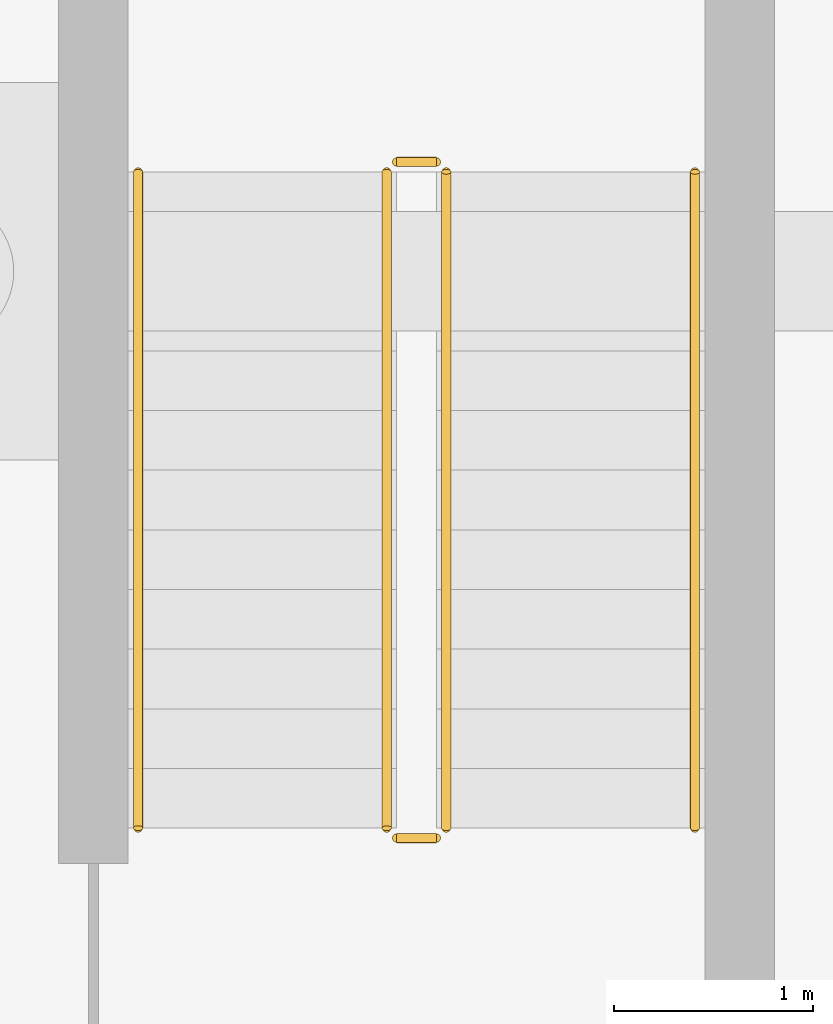
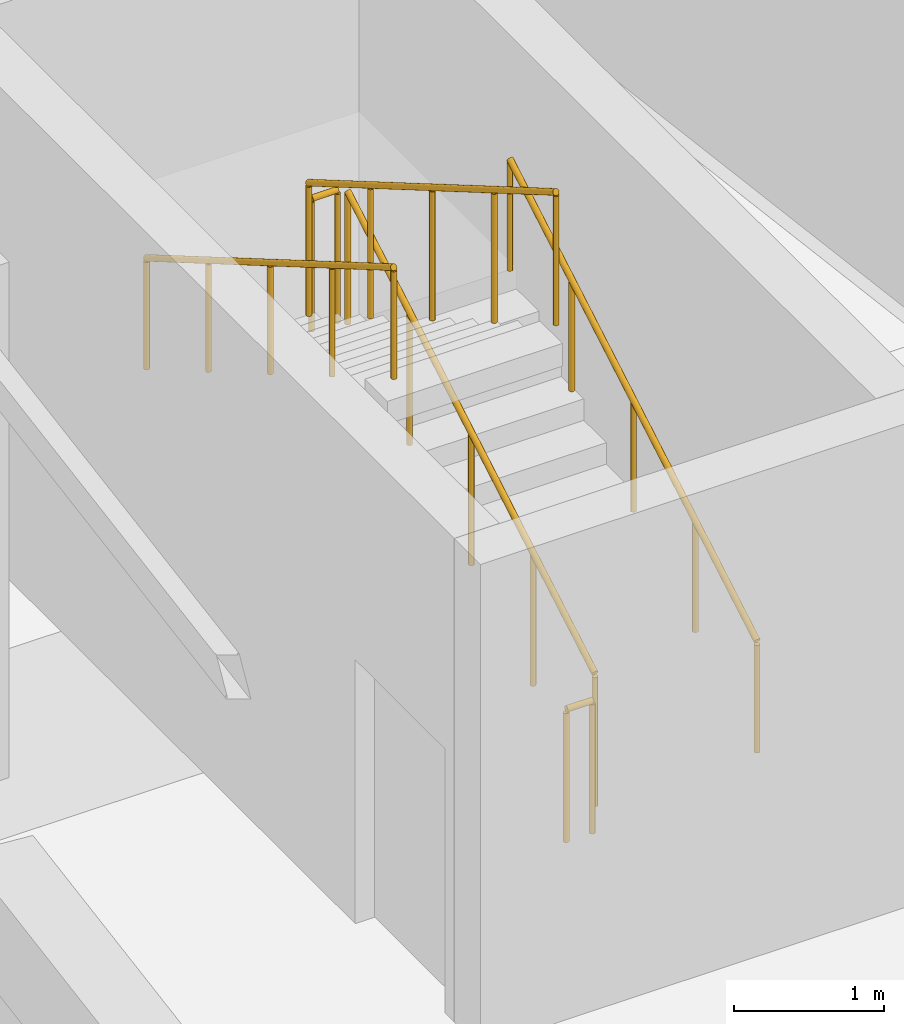
# One storey, part 54 of 58: 6 railings.
"""IFC4 building model written with IfcOpenShell, lengths in metres."""

from ifc_helpers import new_model, si_unit, direction, frame, origin, origin_2d, place, context, subcontext, project, spatial, circle, extrude, material, type_object, element, save


model = new_model("IFC4")

# Units and contexts
model_context = context("Model", 3, precision=1e-05, world=origin(), true_north=direction((0.0, 1.0)))
body_context = subcontext(model_context, "Body", "Model", "MODEL_VIEW")
ifc_project = project(units=[si_unit("LENGTHUNIT", "METRE"), si_unit("AREAUNIT", "SQUARE_METRE"), si_unit("VOLUMEUNIT", "CUBIC_METRE"), si_unit("PLANEANGLEUNIT", "RADIAN"), si_unit("MASSUNIT", "GRAM", prefix="KILO")], contexts=[model_context])

# Site, building, storey
site_placement = place(None, origin())
site = spatial("IfcSite", under=ifc_project, at=site_placement, CompositionType="ELEMENT")
building_placement = place(site_placement, origin())
building = spatial("IfcBuilding", under=site, at=building_placement, Name="Karori Crest Natural Sciences Institute", CompositionType="ELEMENT")
storey_placement = place(building_placement, frame((0.0, 0.0, -4.199951171875)))
storey = spatial("IfcBuildingStorey", under=building, at=storey_placement, Name="B1", CompositionType="ELEMENT", Elevation=-4.199951171875)

# Railings
ifc_material_1 = material(Name="Stainless steel 316 tubular handrail", Category="steel")
railing_type_1 = type_object("IfcRailingType", Name="RLT-HND", PredefinedType="HANDRAIL", material=ifc_material_1)
railing_1_placement = place(storey_placement, frame((95.5, 47.10009765625, 0.175048828125)))
element("IfcRailing", 1, at=railing_1_placement, inside=storey, type_object=railing_type_1, Name="Stair handrail RL-0005", PredefinedType="HANDRAIL", context=body_context, shape_type="SweptSolid", body=[
    extrude(circle(Radius=0.02392578125, at=origin_2d()), frame((0.0, 0.0, 0.90087890625), z_axis=(0.0, 0.863788172461, 0.503855131081), x_axis=(-1.0, 0.0, 0.0)), (0.0, 0.0, 1.0), 3.820068359375),
    extrude(circle(Radius=0.02099609375, at=origin_2d()), origin(), (0.0, 0.0, 1.0), 0.876953125),
    extrude(circle(Radius=0.02099609375, at=origin_2d()), frame((0.0, 0.824951171875, 0.481201171875)), (0.0, 0.0, 1.0), 0.876953125),
    extrude(circle(Radius=0.02099609375, at=origin_2d()), frame((0.0, 1.64990234375, 0.96240234375)), (0.0, 0.0, 1.0), 0.876953125),
    extrude(circle(Radius=0.02099609375, at=origin_2d()), frame((0.0, 2.474853515625, 1.443603515625)), (0.0, 0.0, 1.0), 0.876953125),
    extrude(circle(Radius=0.02099609375, at=origin_2d()), frame((0.0, 3.2998046875, 1.9248046875)), (0.0, 0.0, 1.0), 0.876953125),
])
railing_2_placement = place(storey_placement, frame((92.699951171875, 50.39990234375, 2.27490234375)))
element("IfcRailing", 2, at=railing_2_placement, inside=storey, type_object=railing_type_1, Name="Stair handrail RL-0006", PredefinedType="HANDRAIL", context=body_context, shape_type="SweptSolid", body=[
    extrude(circle(Radius=0.02392578125, at=origin_2d()), frame((0.0, 0.0, 0.90087890625), z_axis=(0.0, -0.863760357493, 0.503902812876), x_axis=(1.0, 0.0, 0.0)), (0.0, 0.0, 1.0), 3.8203125),
    extrude(circle(Radius=0.02099609375, at=origin_2d()), origin(), (0.0, 0.0, 1.0), 0.876953125),
    extrude(circle(Radius=0.02099609375, at=origin_2d()), frame((0.0, -0.824951171875, 0.481201171875)), (0.0, 0.0, 1.0), 0.876953125),
    extrude(circle(Radius=0.02099609375, at=origin_2d()), frame((0.0, -1.64990234375, 0.96240234375)), (0.0, 0.0, 1.0), 0.876953125),
    extrude(circle(Radius=0.02099609375, at=origin_2d()), frame((0.0, -2.474853515625, 1.44384765625)), (0.0, 0.0, 1.0), 0.876953125),
    extrude(circle(Radius=0.02099609375, at=origin_2d()), frame((0.0, -3.2998046875, 1.925048828125)), (0.0, 0.0, 1.0), 0.876953125),
])
ifc_material_2 = material(Name="Stainless steel 316 stair guard", Category="steel")
railing_type_2 = type_object("IfcRailingType", Name="RLT-STG", PredefinedType="GUARDRAIL", material=ifc_material_2)
railing_3_placement = place(storey_placement, frame((94.25, 47.10009765625, 0.175048828125)))
element("IfcRailing", 3, at=railing_3_placement, inside=storey, type_object=railing_type_2, Name="Stair guard RL-0001", PredefinedType="GUARDRAIL", context=body_context, shape_type="SweptSolid", body=[
    extrude(circle(Radius=0.02392578125, at=origin_2d()), frame((0.0, 0.0, 1.076171875), z_axis=(0.0, 0.863788172461, 0.503855131081), x_axis=(-1.0, 0.0, 0.0)), (0.0, 0.0, 1.0), 3.820068359375),
    extrude(circle(Radius=0.02099609375, at=origin_2d()), origin(), (0.0, 0.0, 1.0), 1.052001953125),
    extrude(circle(Radius=0.02099609375, at=origin_2d()), frame((0.0, 0.824951171875, 0.481201171875)), (0.0, 0.0, 1.0), 1.052001953125),
    extrude(circle(Radius=0.02099609375, at=origin_2d()), frame((0.0, 1.64990234375, 0.96240234375)), (0.0, 0.0, 1.0), 1.052001953125),
    extrude(circle(Radius=0.02099609375, at=origin_2d()), frame((0.0, 2.474853515625, 1.443603515625)), (0.0, 0.0, 1.0), 1.052001953125),
    extrude(circle(Radius=0.02099609375, at=origin_2d()), frame((0.0, 3.2998046875, 1.9248046875)), (0.0, 0.0, 1.0), 1.052001953125),
])
railing_4_placement = place(storey_placement, frame((94.199951171875, 50.449951171875, 2.099853515625)))
element("IfcRailing", 4, at=railing_4_placement, inside=storey, type_object=railing_type_2, Name="Stair guard RL-0002", PredefinedType="GUARDRAIL", context=body_context, shape_type="SweptSolid", body=[
    extrude(circle(Radius=0.02392578125, at=origin_2d()), frame((0.0, 0.0, 1.076171875), z_axis=(-1.0, 0.0, 0.0), x_axis=(0.0, -1.0, 0.0)), (0.0, 0.0, 1.0), 0.199951171875),
    extrude(circle(Radius=0.02099609375, at=origin_2d()), origin(), (0.0, 0.0, 1.0), 1.052001953125),
    extrude(circle(Radius=0.02099609375, at=origin_2d()), frame((-0.199951171875, 0.0, 0.0)), (0.0, 0.0, 1.0), 1.052001953125),
])
railing_5_placement = place(storey_placement, frame((93.949951171875, 50.39990234375, 2.27490234375)))
element("IfcRailing", 5, at=railing_5_placement, inside=storey, type_object=railing_type_2, Name="Stair guard RL-0003", PredefinedType="GUARDRAIL", context=body_context, shape_type="SweptSolid", body=[
    extrude(circle(Radius=0.02392578125, at=origin_2d()), frame((0.0, 0.0, 1.076171875), z_axis=(0.0, -0.863760357493, 0.503902812876), x_axis=(1.0, 0.0, 0.0)), (0.0, 0.0, 1.0), 3.8203125),
    extrude(circle(Radius=0.02099609375, at=origin_2d()), origin(), (0.0, 0.0, 1.0), 1.052001953125),
    extrude(circle(Radius=0.02099609375, at=origin_2d()), frame((0.0, -0.824951171875, 0.481201171875)), (0.0, 0.0, 1.0), 1.052001953125),
    extrude(circle(Radius=0.02099609375, at=origin_2d()), frame((0.0, -1.64990234375, 0.96240234375)), (0.0, 0.0, 1.0), 1.052001953125),
    extrude(circle(Radius=0.02099609375, at=origin_2d()), frame((0.0, -2.474853515625, 1.44384765625)), (0.0, 0.0, 1.0), 1.052001953125),
    extrude(circle(Radius=0.02099609375, at=origin_2d()), frame((0.0, -3.2998046875, 1.925048828125)), (0.0, 0.0, 1.0), 1.052001953125),
])
railing_6_placement = place(storey_placement, frame((94.199951171875, 47.050048828125, 0.0)))
element("IfcRailing", 6, at=railing_6_placement, inside=storey, type_object=railing_type_2, Name="Stair guard RL-0004", PredefinedType="GUARDRAIL", context=body_context, shape_type="SweptSolid", body=[
    extrude(circle(Radius=0.02392578125, at=origin_2d()), frame((0.0, 0.0, 1.076171875), z_axis=(-1.0, 0.0, 0.0), x_axis=(0.0, -1.0, 0.0)), (0.0, 0.0, 1.0), 0.199951171875),
    extrude(circle(Radius=0.02099609375, at=origin_2d()), origin(), (0.0, 0.0, 1.0), 1.052001953125),
    extrude(circle(Radius=0.02099609375, at=origin_2d()), frame((-0.199951171875, 0.0, 0.0)), (0.0, 0.0, 1.0), 1.052001953125),
])

save(model, "model.ifc")
